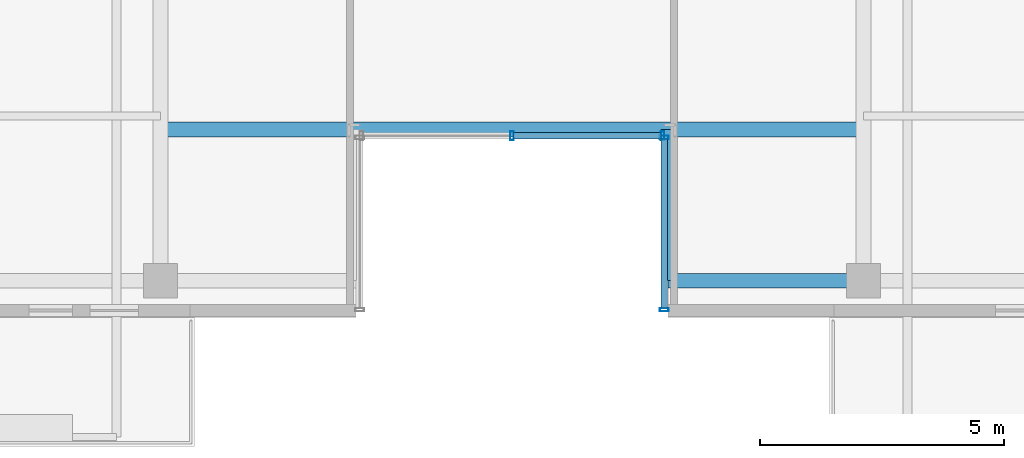
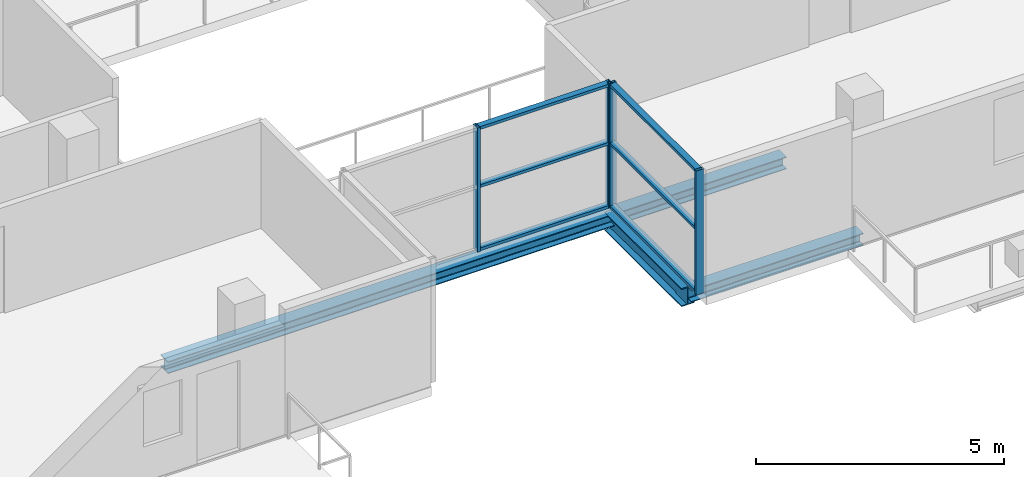
# One storey, part 7 of 23: 10 members, 3 beams, 2 elements without a shape of their own.
"""IFC4 building model written with IfcOpenShell, lengths in metres."""

from ifc_helpers import new_model, si_unit, direction, frame, origin, origin_2d, place, context, subcontext, project, spatial, hollow_rectangle, i_section, extrude, source, transform, mapped, material, layer, layer_set, material_profile, profile_set, type_object, element, aggregate, save


model = new_model("IFC4")

# Units and contexts
model_context = context("Model", 3, precision=1e-05, world=origin(), true_north=direction((0.0, 1.0)))
body_context = subcontext(model_context, "Body", "Model", "MODEL_VIEW")
ifc_project = project(units=[si_unit("LENGTHUNIT", "METRE"), si_unit("AREAUNIT", "SQUARE_METRE"), si_unit("VOLUMEUNIT", "CUBIC_METRE"), si_unit("PLANEANGLEUNIT", "RADIAN"), si_unit("MASSUNIT", "GRAM", prefix="KILO")], contexts=[model_context])

# Site, building, storey
site_placement = place(None, origin())
site = spatial("IfcSite", under=ifc_project, at=site_placement, CompositionType="ELEMENT")
building_placement = place(site_placement, origin())
building = spatial("IfcBuilding", under=site, at=building_placement, Name="Zarnakvel Exchange Tower", CompositionType="ELEMENT")
storey_placement = place(building_placement, frame((0.0, 0.0, 218.800048828125)))
storey = spatial("IfcBuildingStorey", under=building, at=storey_placement, Name="L61", CompositionType="ELEMENT", Elevation=218.800048828125)

# Beams
ifc_material_1 = material(Name="Steel S355", Category="steel")
ifc_material_profile_1 = material_profile(ifc_material_1, i_section(OverallWidth=0.300048828125, OverallDepth=0.449951171875, WebThickness=0.013916015625, FlangeThickness=0.02587890625, FilletRadius=0.027099609375, at=origin_2d()))
ifc_profile_set_1 = profile_set([ifc_material_profile_1], Name="Steel S355")
beam_type_1 = type_object("IfcBeamType", Name="G-07", PredefinedType="BEAM", material=ifc_profile_set_1)
beam_1_placement = place(storey_placement, frame((3.199951171875, -16.35009765625, -0.449951171875), z_axis=(0.0, 1.0, 0.0), x_axis=(-1.0, 0.0, 0.0)))
element("IfcBeam", 1, at=beam_1_placement, inside=storey, type_object=beam_type_1, Name="L61 South Slot East Cheek Beam", PredefinedType="BEAM", context=body_context, shape_type="SweptSolid", body=[
    extrude(i_section(OverallWidth=0.300048828125, OverallDepth=0.449951171875, WebThickness=0.013916015625, FlangeThickness=0.02587890625, FilletRadius=0.027099609375, at=origin_2d()), origin(), (0.0, 0.0, 1.0), 3.10009765625),
])
ifc_material_profile_2 = material_profile(ifc_material_1, i_section(OverallWidth=0.300048828125, OverallDepth=0.300048828125, WebThickness=0.010986328125, FlangeThickness=0.01904296875, FilletRadius=0.027099609375, at=origin_2d()))
ifc_profile_set_2 = profile_set([ifc_material_profile_2], Name="Steel S355")
beam_type_2 = type_object("IfcBeamType", Name="SP-03", PredefinedType="SPANDREL", material=ifc_profile_set_2)
beam_2_placement = place(storey_placement, frame((3.199951171875, -16.35009765625, -0.375), z_axis=(1.0, 0.0, 0.0), x_axis=(0.0, 1.0, 0.0)))
element("IfcBeam", 2, at=beam_2_placement, inside=storey, type_object=beam_type_2, Name="L61 South Slot East Jamb Spandrel", PredefinedType="SPANDREL", context=body_context, shape_type="SweptSolid", body=[
    extrude(i_section(OverallWidth=0.300048828125, OverallDepth=0.300048828125, WebThickness=0.010986328125, FlangeThickness=0.01904296875, FilletRadius=0.027099609375, at=origin_2d()), origin(), (0.0, 0.0, 1.0), 4.0),
])
beam_3_placement = place(storey_placement, frame((-7.199951171875, -13.25, -0.375), z_axis=(1.0, 0.0, 0.0), x_axis=(0.0, 1.0, 0.0)))
element("IfcBeam", 3, at=beam_3_placement, inside=storey, type_object=beam_type_2, Name="L61 South Slot Head Trimmer Girder", PredefinedType="SPANDREL", context=body_context, shape_type="SweptSolid", body=[
    extrude(i_section(OverallWidth=0.300048828125, OverallDepth=0.300048828125, WebThickness=0.010986328125, FlangeThickness=0.01904296875, FilletRadius=0.027099609375, at=origin_2d()), origin(), (0.0, 0.0, 1.0), 14.39990234375),
])

# Curtain wall, members
ifc_material_2 = material(Name="Architectural Bronze Anodised Aluminium", Category="aluminium")
ifc_layer = layer(ifc_material_2, 0.179931640625)
ifc_layer_set = layer_set([ifc_layer], Name="Architectural Bronze Anodised Aluminium")
curtain_wall_type = type_object("IfcCurtainWallType", Name="CW-05", PredefinedType="NOTDEFINED", material=ifc_layer_set)
curtain_wall_1_placement = place(storey_placement, origin())
curtain_wall_1 = element("IfcCurtainWall", 4, at=curtain_wall_1_placement, inside=storey, type_object=curtain_wall_type, Name="L61 Curtain Wall CW-L61-SLE (CW-05)", PredefinedType="NOTDEFINED")
ifc_material_profile_3 = material_profile(ifc_material_2, hollow_rectangle(XDim=0.139892578125, YDim=0.070068359375, WallThickness=0.00390625, at=origin_2d()))
ifc_profile_set_3 = profile_set([ifc_material_profile_3], Name="Architectural Bronze Anodised Aluminium")
member_type_1 = type_object("IfcMemberType", Name="CWT-05", PredefinedType="USERDEFINED", material=ifc_profile_set_3)
shared_shape_1 = source(origin(), body_context, "Body", "SweptSolid", [
    extrude(hollow_rectangle(XDim=0.139892578125, YDim=0.070068359375, WallThickness=0.00390625, at=origin_2d()), origin(), (0.0, 0.0, 1.0), 3.4599609375),
])
member_1_placement = place(storey_placement, frame((3.1201171875, -13.449951171875, 0.034912109375), z_axis=(0.0, -1.0, 0.0), x_axis=(1.0, 0.0, 0.0)))
member_1 = element("IfcMember", 5, at=member_1_placement, type_object=member_type_1, Name="CW-05 transom 1.1", ObjectType="TRANSOM", PredefinedType="USERDEFINED", context=body_context, shape_type="MappedRepresentation", body=[
    mapped(shared_shape_1, transform((0.0, 0.0, 0.0), x_axis=(1.0, 0.0, 0.0), y_axis=(0.0, 1.0, 0.0), z_axis=(0.0, 0.0, 1.0), scale=1.0)),
])
member_2_placement = place(storey_placement, frame((3.1201171875, -13.449951171875, 1.588623046875), z_axis=(0.0, -1.0, 0.0), x_axis=(1.0, 0.0, 0.0)))
member_2 = element("IfcMember", 6, at=member_2_placement, type_object=member_type_1, Name="CW-05 transom 1.2", ObjectType="TRANSOM", PredefinedType="USERDEFINED", context=body_context, shape_type="MappedRepresentation", body=[
    mapped(shared_shape_1, transform((0.0, 0.0, 0.0), x_axis=(1.0, 0.0, 0.0), y_axis=(0.0, 1.0, 0.0), z_axis=(0.0, 0.0, 1.0), scale=1.0)),
])
member_3_placement = place(storey_placement, frame((3.1201171875, -13.449951171875, 3.02001953125), z_axis=(0.0, -1.0, 0.0), x_axis=(1.0, 0.0, 0.0)))
member_3 = element("IfcMember", 7, at=member_3_placement, type_object=member_type_1, Name="CW-05 transom 1.3", ObjectType="TRANSOM", PredefinedType="USERDEFINED", context=body_context, shape_type="MappedRepresentation", body=[
    mapped(shared_shape_1, transform((0.0, 0.0, 0.0), x_axis=(1.0, 0.0, 0.0), y_axis=(0.0, 1.0, 0.0), z_axis=(0.0, 0.0, 1.0), scale=1.0)),
])

curtain_wall_2_placement = place(storey_placement, origin())
curtain_wall_2 = element("IfcCurtainWall", 8, at=curtain_wall_2_placement, inside=storey, type_object=curtain_wall_type, Name="L61 Curtain Wall CW-L61-SLB (CW-05)", PredefinedType="NOTDEFINED")
shared_shape_2 = source(origin(), body_context, "Body", "SweptSolid", [
    extrude(hollow_rectangle(XDim=0.139892578125, YDim=0.070068359375, WallThickness=0.00390625, at=origin_2d()), origin(), (0.0, 0.0, 1.0), 3.01513671875),
])
member_4_placement = place(storey_placement, frame((0.034912109375, -13.3798828125, 0.034912109375), z_axis=(1.0, 0.0, 0.0), x_axis=(0.0, 1.0, 0.0)))
member_4 = element("IfcMember", 9, at=member_4_placement, type_object=member_type_1, Name="CW-05 transom 2.1", ObjectType="TRANSOM", PredefinedType="USERDEFINED", context=body_context, shape_type="MappedRepresentation", body=[
    mapped(shared_shape_2, transform((0.0, 0.0, 0.0), x_axis=(1.0, 0.0, 0.0), y_axis=(0.0, 1.0, 0.0), z_axis=(0.0, 0.0, 1.0), scale=1.0)),
])
member_5_placement = place(storey_placement, frame((0.034912109375, -13.3798828125, 1.588623046875), z_axis=(1.0, 0.0, 0.0), x_axis=(0.0, 1.0, 0.0)))
member_5 = element("IfcMember", 10, at=member_5_placement, type_object=member_type_1, Name="CW-05 transom 2.2", ObjectType="TRANSOM", PredefinedType="USERDEFINED", context=body_context, shape_type="MappedRepresentation", body=[
    mapped(shared_shape_2, transform((0.0, 0.0, 0.0), x_axis=(1.0, 0.0, 0.0), y_axis=(0.0, 1.0, 0.0), z_axis=(0.0, 0.0, 1.0), scale=1.0)),
])
member_6_placement = place(storey_placement, frame((0.034912109375, -13.3798828125, 3.02001953125), z_axis=(1.0, 0.0, 0.0), x_axis=(0.0, 1.0, 0.0)))
member_6 = element("IfcMember", 11, at=member_6_placement, type_object=member_type_1, Name="CW-05 transom 2.3", ObjectType="TRANSOM", PredefinedType="USERDEFINED", context=body_context, shape_type="MappedRepresentation", body=[
    mapped(shared_shape_2, transform((0.0, 0.0, 0.0), x_axis=(1.0, 0.0, 0.0), y_axis=(0.0, 1.0, 0.0), z_axis=(0.0, 0.0, 1.0), scale=1.0)),
])
ifc_material_profile_4 = material_profile(ifc_material_2, hollow_rectangle(XDim=0.179931640625, YDim=0.070068359375, WallThickness=0.00390625, at=origin_2d()))
ifc_profile_set_4 = profile_set([ifc_material_profile_4], Name="Architectural Bronze Anodised Aluminium")
member_type_2 = type_object("IfcMemberType", Name="CWM-05", PredefinedType="MULLION", material=ifc_profile_set_4)
shared_shape_3 = source(origin(), body_context, "Body", "SweptSolid", [
    extrude(hollow_rectangle(XDim=0.179931640625, YDim=0.070068359375, WallThickness=0.00390625, at=origin_2d()), origin(), (0.0, 0.0, 1.0), 3.054931640625),
])
member_7_placement = place(storey_placement, frame((0.0, -13.3798828125, 0.0), z_axis=(0.0, 0.0, 1.0), x_axis=(0.0, 1.0, 0.0)))
member_7 = element("IfcMember", 12, at=member_7_placement, type_object=member_type_2, Name="CW-05 mullion 2", PredefinedType="MULLION", context=body_context, shape_type="MappedRepresentation", body=[
    mapped(shared_shape_3, transform((0.0, 0.0, 0.0), x_axis=(1.0, 0.0, 0.0), y_axis=(0.0, 1.0, 0.0), z_axis=(0.0, 0.0, 1.0), scale=1.0)),
])
member_8_placement = place(storey_placement, frame((3.0849609375, -13.3798828125, 0.0), z_axis=(0.0, 0.0, 1.0), x_axis=(0.0, 1.0, 0.0)))
member_8 = element("IfcMember", 13, at=member_8_placement, type_object=member_type_2, Name="CW-05 mullion 3", PredefinedType="MULLION", context=body_context, shape_type="MappedRepresentation", body=[
    mapped(shared_shape_3, transform((0.0, 0.0, 0.0), x_axis=(1.0, 0.0, 0.0), y_axis=(0.0, 1.0, 0.0), z_axis=(0.0, 0.0, 1.0), scale=1.0)),
])
aggregate(curtain_wall_2, [member_7, member_8, member_4, member_5, member_6])

# Member
member_9_placement = place(storey_placement, frame((3.1201171875, -13.4150390625, 0.0), z_axis=(0.0, 0.0, 1.0), x_axis=(1.0, 0.0, 0.0)))
member_9 = element("IfcMember", 14, at=member_9_placement, type_object=member_type_2, Name="CW-05 mullion 1", PredefinedType="MULLION", context=body_context, shape_type="MappedRepresentation", body=[
    mapped(shared_shape_3, transform((0.0, 0.0, 0.0), x_axis=(1.0, 0.0, 0.0), y_axis=(0.0, 1.0, 0.0), z_axis=(0.0, 0.0, 1.0), scale=1.0)),
])

member_10_placement = place(storey_placement, frame((3.1201171875, -16.945068359375, 0.0), z_axis=(0.0, 0.0, 1.0), x_axis=(1.0, 0.0, 0.0)))
member_10 = element("IfcMember", 15, at=member_10_placement, type_object=member_type_2, Name="CW-05 mullion 2", PredefinedType="MULLION", context=body_context, shape_type="MappedRepresentation", body=[
    mapped(shared_shape_3, transform((0.0, 0.0, 0.0), x_axis=(1.0, 0.0, 0.0), y_axis=(0.0, 1.0, 0.0), z_axis=(0.0, 0.0, 1.0), scale=1.0)),
])

aggregate(curtain_wall_1, [member_9, member_10, member_1, member_2, member_3])

save(model, "model.ifc")
